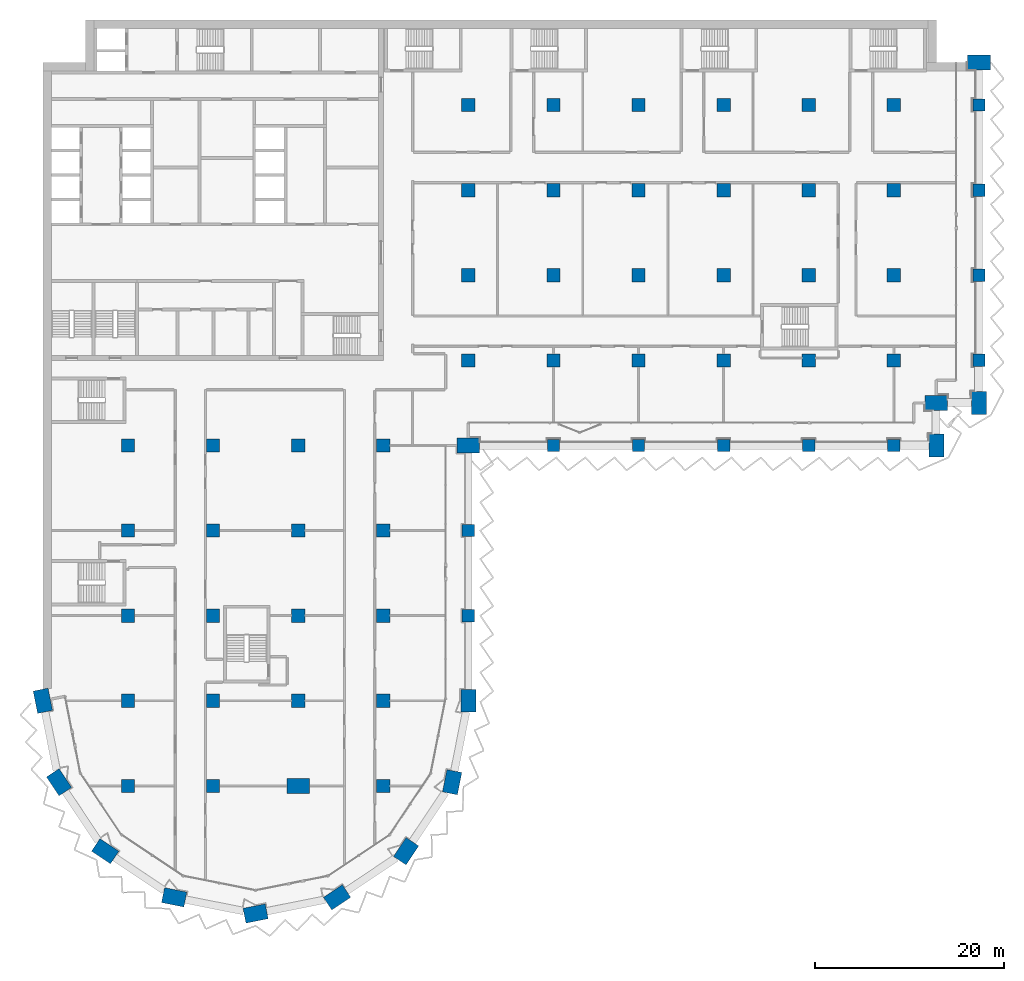
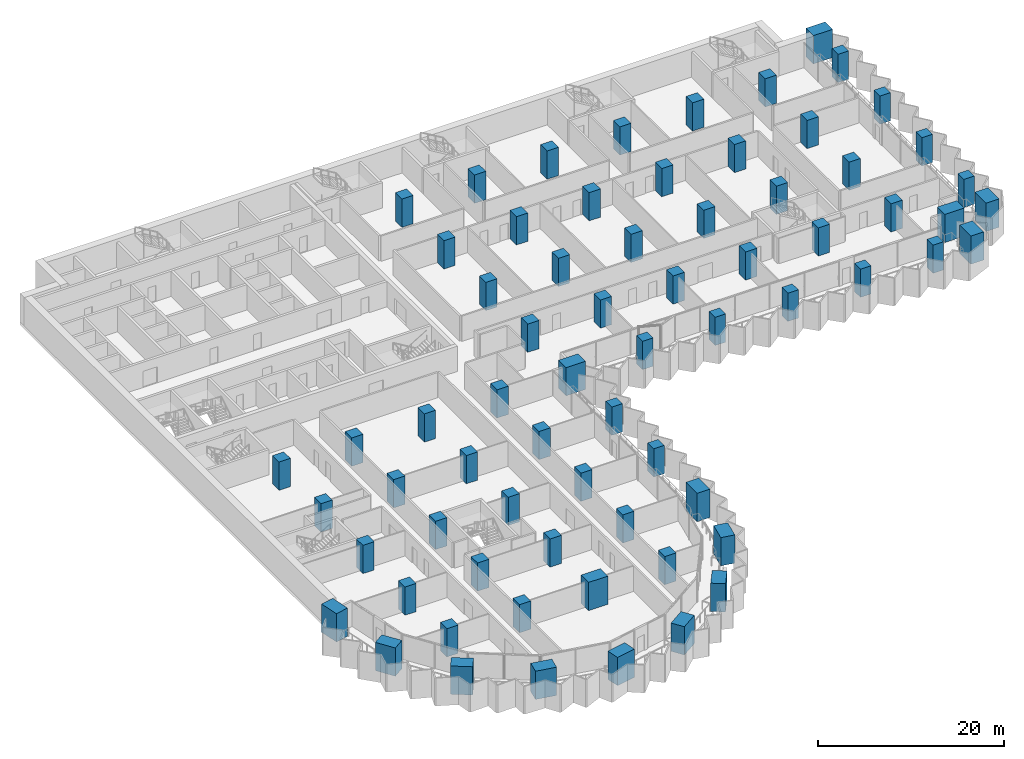
# One storey, part 1 of 28: 69 columns.
"""IFC4 building model written with IfcOpenShell, lengths in metres."""

from ifc_helpers import new_model, si_unit, direction, frame, origin, origin_2d, place, context, subcontext, project, spatial, rectangle, extrude, material, material_profile, profile_set, type_object, element, save


model = new_model("IFC4")

# Units and contexts
model_context = context("Model", 3, precision=1e-05, world=origin(), true_north=direction((0.0, 1.0)))
body_context = subcontext(model_context, "Body", "Model", "MODEL_VIEW")
ifc_project = project(units=[si_unit("LENGTHUNIT", "METRE"), si_unit("AREAUNIT", "SQUARE_METRE"), si_unit("VOLUMEUNIT", "CUBIC_METRE"), si_unit("PLANEANGLEUNIT", "RADIAN"), si_unit("MASSUNIT", "GRAM", prefix="KILO")], contexts=[model_context])

# Site, building, storey
site_placement = place(None, origin())
site = spatial("IfcSite", under=ifc_project, at=site_placement, CompositionType="ELEMENT")
building_placement = place(site_placement, origin())
building = spatial("IfcBuilding", under=site, at=building_placement, Name="Hunhe Ridgeline Campus", CompositionType="ELEMENT")
storey_placement = place(building_placement, frame((0.0, 0.0, 43.199951171875)))
storey = spatial("IfcBuildingStorey", under=building, at=storey_placement, Name="L09", CompositionType="ELEMENT", Elevation=43.199951171875)

# Columns
ifc_material = material(Name="Concrete C80", Category="concrete")
ifc_material_profile_1 = material_profile(ifc_material, rectangle(XDim=2.39990234375, YDim=1.60009765625, at=origin_2d()))
ifc_profile_set_1 = profile_set([ifc_material_profile_1], Name="Concrete C80")
column_type_1 = type_object("IfcColumnType", Name="Megacolumn 2400x1600 Concrete C80", PredefinedType="COLUMN", material=ifc_profile_set_1)
for number, where, z_axis, x_axis, name in (
    (1, (22.5, 4.5, 0.0), (0.0, 0.0, 1.0), (0.980785280403, 0.195090322016, 0.0), "Column C3 R1 L09"),
    (2, (13.8896484375, 6.212646484375, 0.0), (0.0, 0.0, 1.0), (-0.980785280403, 0.195090322016, 0.0), "Column C3 R2 L09"),
    (3, (31.1103515625, 6.212646484375, 0.0), (0.0, 0.0, 1.0), (0.831469612303, 0.55557023302, 0.0), "Column C3 R3 L09"),
    (4, (6.590087890625, 11.090087890625, 0.0), (0.0, 0.0, 1.0), (-0.831469612303, 0.55557023302, 0.0), "Column C3 R4 L09"),
    (5, (38.409912109375, 11.090087890625, 0.0), (0.0, 0.0, 1.0), (0.55557023302, 0.831469612303, 0.0), "Column C3 R5 L09"),
    (6, (1.712646484375, 18.3896484375, 0.0), (0.0, 0.0, 1.0), (-0.55557023302, 0.831469612303, 0.0), "Column C3 R9 L09"),
    (7, (43.287353515625, 18.3896484375, 0.0), (0.0, 0.0, 1.0), (0.195090322016, 0.980785280403, 0.0), "Column C3 R10 L09"),
    (8, (0.0, 27.0, 0.0), (0.0, 0.0, 1.0), (-0.195090322016, 0.980785280403, 0.0), "Column C3 D1 L09"),
    (9, (45.0, 27.0, 0.0), (0.0, 0.0, 1.0), (0.0, 1.0, 0.0), "Column C3 D6 L09"),
    (10, (45.0, 54.0, 0.0), (0.0, 0.0, 1.0), (1.0, 0.0, 0.0), "Column C3 G6 L09"),
    (11, (94.5, 54.0, 0.0), (0.0, 0.0, 1.0), (0.0, 1.0, 0.0), "Column C3 R32 L09"),
    (12, (94.5, 58.5, 0.0), (0.0, 0.0, 1.0), (1.0, 0.0, 0.0), "Column C3 R39 L09"),
    (13, (99.0, 58.5, 0.0), (0.0, 0.0, 1.0), (0.0, 1.0, 0.0), "Column C3 R40 L09"),
    (14, (99.0, 94.5, 0.0), (0.0, 0.0, 1.0), (1.0, 0.0, 0.0), "Column C3 R44 L09"),
    (15, (27.0, 18.0, 0.0), (0.0, 0.0, 1.0), (1.0, 0.0, 0.0), "Column C3 C4 L09"),
):
    element("IfcColumn", number, at=place(storey_placement, frame(where, z_axis=z_axis, x_axis=x_axis)), inside=storey, type_object=column_type_1, Name=name, PredefinedType="COLUMN", context=body_context, shape_type="SweptSolid", body=[
        extrude(rectangle(XDim=2.39990234375, YDim=1.60009765625, at=origin_2d()), origin(), (0.0, 0.0, 1.0), 3.699951171875),
    ])
ifc_material_profile_2 = material_profile(ifc_material, rectangle(XDim=1.300048828125, YDim=1.300048828125, at=origin_2d()))
ifc_profile_set_2 = profile_set([ifc_material_profile_2], Name="Concrete C80")
column_type_2 = type_object("IfcColumnType", Name="RC column 1300x1300 Concrete C80", PredefinedType="COLUMN", material=ifc_profile_set_2)
for number, where, z_axis, x_axis, name in (
    (16, (45.0, 36.0, 0.0), (0.0, 0.0, 1.0), (1.0, 0.0, 0.0), "Column C4 E6 L09"),
    (17, (45.0, 45.0, 0.0), (0.0, 0.0, 1.0), (1.0, 0.0, 0.0), "Column C4 F6 L09"),
    (18, (54.0, 54.0, 0.0), (0.0, 0.0, 1.0), (1.0, 0.0, 0.0), "Column C4 G7 L09"),
    (19, (63.0, 54.0, 0.0), (0.0, 0.0, 1.0), (1.0, 0.0, 0.0), "Column C4 G8 L09"),
    (20, (72.0, 54.0, 0.0), (0.0, 0.0, 1.0), (1.0, 0.0, 0.0), "Column C4 G9 L09"),
    (21, (81.0, 54.0, 0.0), (0.0, 0.0, 1.0), (1.0, 0.0, 0.0), "Column C4 G10 L09"),
    (22, (90.0, 54.0, 0.0), (0.0, 0.0, 1.0), (1.0, 0.0, 0.0), "Column C4 G11 L09"),
    (23, (99.0, 63.0, 0.0), (0.0, 0.0, 1.0), (1.0, 0.0, 0.0), "Column C4 H12 L09"),
    (24, (99.0, 72.0, 0.0), (0.0, 0.0, 1.0), (1.0, 0.0, 0.0), "Column C4 I12 L09"),
    (25, (99.0, 81.0, 0.0), (0.0, 0.0, 1.0), (1.0, 0.0, 0.0), "Column C4 J12 L09"),
    (26, (99.0, 90.0, 0.0), (0.0, 0.0, 1.0), (1.0, 0.0, 0.0), "Column C4 K12 L09"),
):
    element("IfcColumn", number, at=place(storey_placement, frame(where, z_axis=z_axis, x_axis=x_axis)), inside=storey, type_object=column_type_2, Name=name, PredefinedType="COLUMN", context=body_context, shape_type="SweptSolid", body=[
        extrude(rectangle(XDim=1.300048828125, YDim=1.300048828125, at=origin_2d()), origin(), (0.0, 0.0, 1.0), 3.699951171875),
    ])
ifc_material_profile_3 = material_profile(ifc_material, rectangle(XDim=1.39990234375, YDim=1.39990234375, at=origin_2d()))
ifc_profile_set_3 = profile_set([ifc_material_profile_3], Name="Concrete C80")
column_type_3 = type_object("IfcColumnType", Name="RC column 1400x1400 Concrete C80", PredefinedType="COLUMN", material=ifc_profile_set_3)
for number, where, z_axis, x_axis, name in (
    (27, (9.0, 18.0, 0.0), (0.0, 0.0, 1.0), (1.0, 0.0, 0.0), "Column C5 C2 L09"),
    (28, (9.0, 27.0, 0.0), (0.0, 0.0, 1.0), (1.0, 0.0, 0.0), "Column C5 D2 L09"),
    (29, (9.0, 36.0, 0.0), (0.0, 0.0, 1.0), (1.0, 0.0, 0.0), "Column C5 E2 L09"),
    (30, (9.0, 45.0, 0.0), (0.0, 0.0, 1.0), (1.0, 0.0, 0.0), "Column C5 F2 L09"),
    (31, (9.0, 54.0, 0.0), (0.0, 0.0, 1.0), (1.0, 0.0, 0.0), "Column C5 G2 L09"),
    (32, (18.0, 18.0, 0.0), (0.0, 0.0, 1.0), (1.0, 0.0, 0.0), "Column C5 C3 L09"),
    (33, (18.0, 27.0, 0.0), (0.0, 0.0, 1.0), (1.0, 0.0, 0.0), "Column C5 D3 L09"),
    (34, (18.0, 36.0, 0.0), (0.0, 0.0, 1.0), (1.0, 0.0, 0.0), "Column C5 E3 L09"),
    (35, (18.0, 45.0, 0.0), (0.0, 0.0, 1.0), (1.0, 0.0, 0.0), "Column C5 F3 L09"),
    (36, (18.0, 54.0, 0.0), (0.0, 0.0, 1.0), (1.0, 0.0, 0.0), "Column C5 G3 L09"),
    (37, (27.0, 27.0, 0.0), (0.0, 0.0, 1.0), (1.0, 0.0, 0.0), "Column C5 D4 L09"),
    (38, (27.0, 36.0, 0.0), (0.0, 0.0, 1.0), (1.0, 0.0, 0.0), "Column C5 E4 L09"),
    (39, (27.0, 45.0, 0.0), (0.0, 0.0, 1.0), (1.0, 0.0, 0.0), "Column C5 F4 L09"),
    (40, (27.0, 54.0, 0.0), (0.0, 0.0, 1.0), (1.0, 0.0, 0.0), "Column C5 G4 L09"),
    (41, (36.0, 18.0, 0.0), (0.0, 0.0, 1.0), (1.0, 0.0, 0.0), "Column C5 C5 L09"),
    (42, (36.0, 27.0, 0.0), (0.0, 0.0, 1.0), (1.0, 0.0, 0.0), "Column C5 D5 L09"),
    (43, (36.0, 36.0, 0.0), (0.0, 0.0, 1.0), (1.0, 0.0, 0.0), "Column C5 E5 L09"),
    (44, (36.0, 45.0, 0.0), (0.0, 0.0, 1.0), (1.0, 0.0, 0.0), "Column C5 F5 L09"),
    (45, (36.0, 54.0, 0.0), (0.0, 0.0, 1.0), (1.0, 0.0, 0.0), "Column C5 G5 L09"),
    (46, (45.0, 63.0, 0.0), (0.0, 0.0, 1.0), (1.0, 0.0, 0.0), "Column C5 H6 L09"),
    (47, (45.0, 72.0, 0.0), (0.0, 0.0, 1.0), (1.0, 0.0, 0.0), "Column C5 I6 L09"),
    (48, (45.0, 81.0, 0.0), (0.0, 0.0, 1.0), (1.0, 0.0, 0.0), "Column C5 J6 L09"),
    (49, (45.0, 90.0, 0.0), (0.0, 0.0, 1.0), (1.0, 0.0, 0.0), "Column C5 K6 L09"),
    (50, (54.0, 63.0, 0.0), (0.0, 0.0, 1.0), (1.0, 0.0, 0.0), "Column C5 H7 L09"),
    (51, (54.0, 72.0, 0.0), (0.0, 0.0, 1.0), (1.0, 0.0, 0.0), "Column C5 I7 L09"),
    (52, (54.0, 81.0, 0.0), (0.0, 0.0, 1.0), (1.0, 0.0, 0.0), "Column C5 J7 L09"),
    (53, (54.0, 90.0, 0.0), (0.0, 0.0, 1.0), (1.0, 0.0, 0.0), "Column C5 K7 L09"),
    (54, (63.0, 63.0, 0.0), (0.0, 0.0, 1.0), (1.0, 0.0, 0.0), "Column C5 H8 L09"),
    (55, (63.0, 72.0, 0.0), (0.0, 0.0, 1.0), (1.0, 0.0, 0.0), "Column C5 I8 L09"),
    (56, (63.0, 81.0, 0.0), (0.0, 0.0, 1.0), (1.0, 0.0, 0.0), "Column C5 J8 L09"),
    (57, (63.0, 90.0, 0.0), (0.0, 0.0, 1.0), (1.0, 0.0, 0.0), "Column C5 K8 L09"),
    (58, (72.0, 63.0, 0.0), (0.0, 0.0, 1.0), (1.0, 0.0, 0.0), "Column C5 H9 L09"),
    (59, (72.0, 72.0, 0.0), (0.0, 0.0, 1.0), (1.0, 0.0, 0.0), "Column C5 I9 L09"),
    (60, (72.0, 81.0, 0.0), (0.0, 0.0, 1.0), (1.0, 0.0, 0.0), "Column C5 J9 L09"),
    (61, (72.0, 90.0, 0.0), (0.0, 0.0, 1.0), (1.0, 0.0, 0.0), "Column C5 K9 L09"),
    (62, (81.0, 63.0, 0.0), (0.0, 0.0, 1.0), (1.0, 0.0, 0.0), "Column C5 H10 L09"),
    (63, (81.0, 72.0, 0.0), (0.0, 0.0, 1.0), (1.0, 0.0, 0.0), "Column C5 I10 L09"),
    (64, (81.0, 81.0, 0.0), (0.0, 0.0, 1.0), (1.0, 0.0, 0.0), "Column C5 J10 L09"),
    (65, (81.0, 90.0, 0.0), (0.0, 0.0, 1.0), (1.0, 0.0, 0.0), "Column C5 K10 L09"),
    (66, (90.0, 63.0, 0.0), (0.0, 0.0, 1.0), (1.0, 0.0, 0.0), "Column C5 H11 L09"),
    (67, (90.0, 72.0, 0.0), (0.0, 0.0, 1.0), (1.0, 0.0, 0.0), "Column C5 I11 L09"),
    (68, (90.0, 81.0, 0.0), (0.0, 0.0, 1.0), (1.0, 0.0, 0.0), "Column C5 J11 L09"),
    (69, (90.0, 90.0, 0.0), (0.0, 0.0, 1.0), (1.0, 0.0, 0.0), "Column C5 K11 L09"),
):
    element("IfcColumn", number, at=place(storey_placement, frame(where, z_axis=z_axis, x_axis=x_axis)), inside=storey, type_object=column_type_3, Name=name, PredefinedType="COLUMN", context=body_context, shape_type="SweptSolid", body=[
        extrude(rectangle(XDim=1.39990234375, YDim=1.39990234375, at=origin_2d()), origin(), (0.0, 0.0, 1.0), 3.699951171875),
    ])

save(model, "model.ifc")
